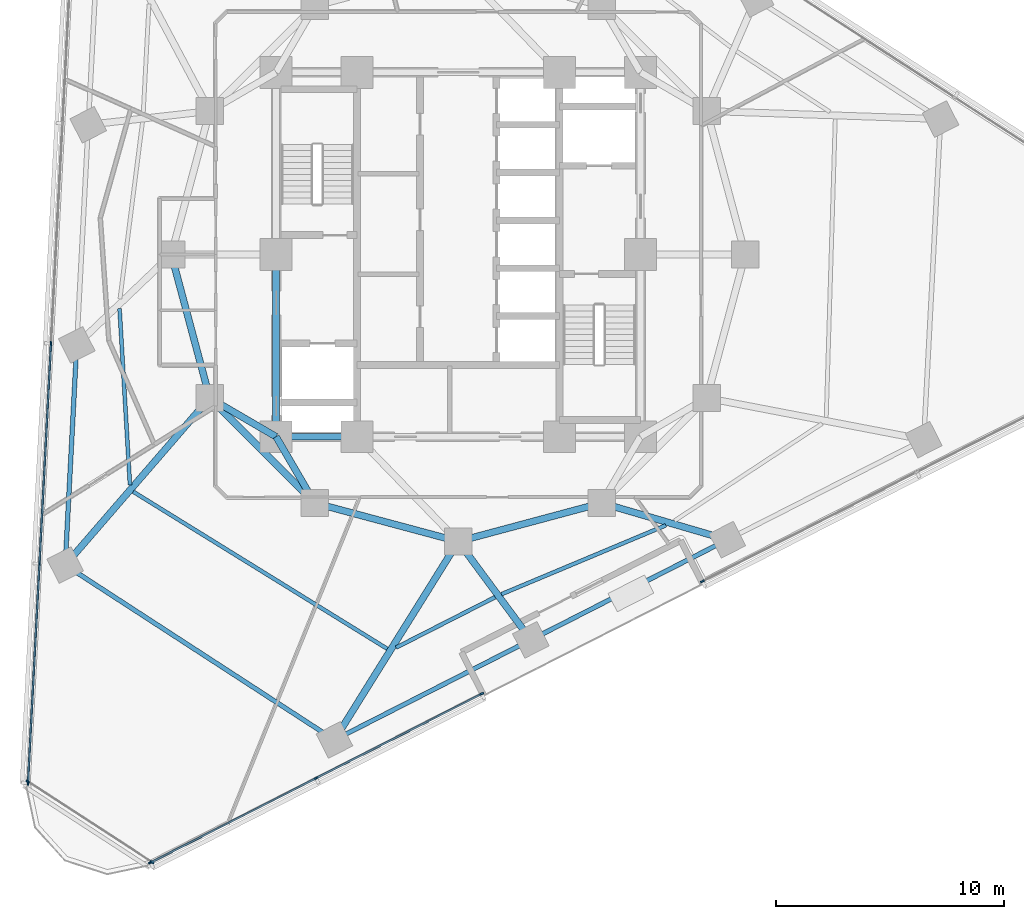
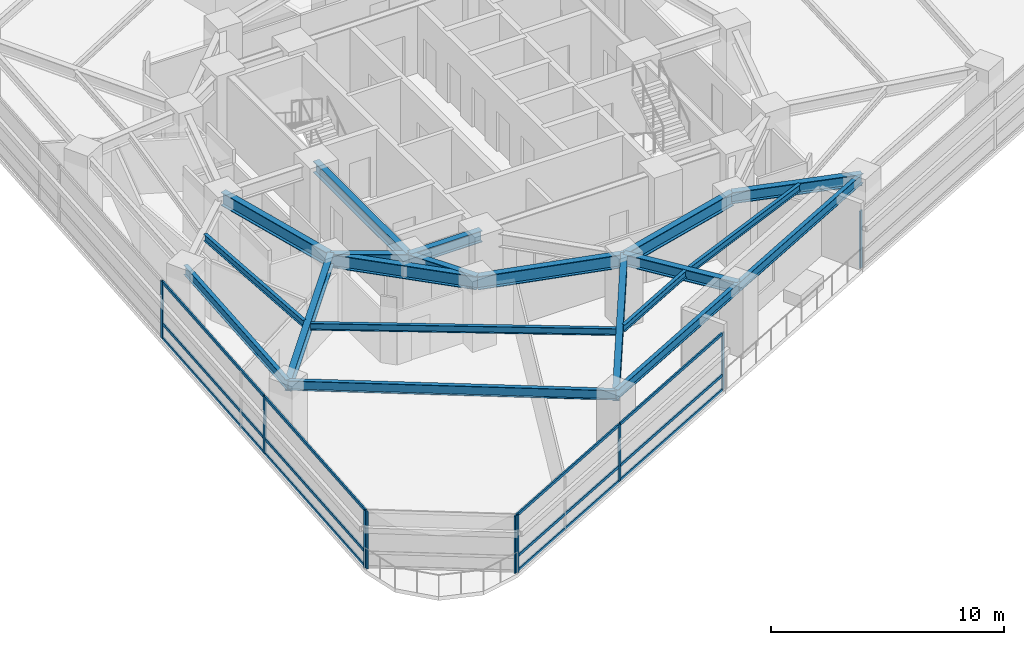
# One storey, part 2 of 14: 21 members, 20 beams, 4 elements without a shape of their own.
"""IFC4 building model written with IfcOpenShell, lengths in metres."""

from ifc_helpers import new_model, si_unit, direction, frame, origin, origin_2d, place, context, subcontext, project, spatial, rectangle, i_section, extrude, material, layer, layer_set, material_profile, profile_set, type_object, element, aggregate, save


model = new_model("IFC4")

# Units and contexts
model_context = context("Model", 3, precision=1e-05, world=origin(), true_north=direction((0.0, 1.0)))
body_context = subcontext(model_context, "Body", "Model", "MODEL_VIEW")
ifc_project = project(units=[si_unit("LENGTHUNIT", "METRE"), si_unit("AREAUNIT", "SQUARE_METRE"), si_unit("VOLUMEUNIT", "CUBIC_METRE"), si_unit("PLANEANGLEUNIT", "RADIAN"), si_unit("MASSUNIT", "GRAM", prefix="KILO")], contexts=[model_context])

# Site, building, storey
site_placement = place(None, origin())
site = spatial("IfcSite", under=ifc_project, at=site_placement, CompositionType="ELEMENT")
building_placement = place(site_placement, origin())
building = spatial("IfcBuilding", under=site, at=building_placement, Name="Terralouvre Media Tower", CompositionType="ELEMENT")
storey_placement = place(building_placement, frame((0.0, 0.0, 131.0)))
storey = spatial("IfcBuildingStorey", under=building, at=storey_placement, Name="L33", CompositionType="ELEMENT", Elevation=131.0)

# Beams
ifc_material_1 = material(Name="Structural steel S355J2", Category="steel")
ifc_material_profile_1 = material_profile(ifc_material_1, i_section(OverallWidth=0.169921875, OverallDepth=0.360107421875, WebThickness=0.008056640625, FlangeThickness=0.0126953125, at=origin_2d()), Name="IPE 360")
ifc_profile_set_1 = profile_set([ifc_material_profile_1], Name="Structural steel S355J2")
beam_type_1 = type_object("IfcBeamType", Name="Composite Floor Joist J-IPE360 (IPE 360)", PredefinedType="JOIST", material=ifc_profile_set_1)
beam_1_placement = place(storey_placement, frame((-14.872314453125, -2.377197265625, 3.320068359375), z_axis=(0.058878824525, -0.998265137137, 0.0), x_axis=(0.998265137137, 0.058878824525, 0.0)))
element("IfcBeam", 1, at=beam_1_placement, inside=storey, type_object=beam_type_1, Name="L33 Framing Beam JT-L33-01", PredefinedType="JOIST", context=body_context, shape_type="SweptSolid", body=[
    extrude(i_section(OverallWidth=0.169921875, OverallDepth=0.360107421875, WebThickness=0.008056640625, FlangeThickness=0.0126953125, at=origin_2d()), origin(), (0.0, 0.0, 1.0), 7.758056640625),
])
beam_2_placement = place(storey_placement, frame((-14.275390625, -10.413330078125, 3.320068359375), z_axis=(0.850512534705, -0.525954777818, 0.0), x_axis=(0.525954777818, 0.850512534705, 0.0)))
element("IfcBeam", 2, at=beam_2_placement, inside=storey, type_object=beam_type_1, Name="L33 Framing Beam JT-L33-02", PredefinedType="JOIST", context=body_context, shape_type="SweptSolid", body=[
    extrude(i_section(OverallWidth=0.169921875, OverallDepth=0.360107421875, WebThickness=0.008056640625, FlangeThickness=0.0126953125, at=origin_2d()), origin(), (0.0, 0.0, 1.0), 13.118896484375),
])
beam_3_placement = place(storey_placement, frame((-2.732666015625, -17.260986328125, 3.320068359375), z_axis=(0.891002879415, 0.453997652939, 0.0), x_axis=(-0.453997652939, 0.891002879415, 0.0)))
element("IfcBeam", 3, at=beam_3_placement, inside=storey, type_object=beam_type_1, Name="L33 Framing Beam JT-L33-03", PredefinedType="JOIST", context=body_context, shape_type="SweptSolid", body=[
    extrude(i_section(OverallWidth=0.169921875, OverallDepth=0.360107421875, WebThickness=0.008056640625, FlangeThickness=0.0126953125, at=origin_2d()), origin(), (0.0, 0.0, 1.0), 4.885009765625),
])
beam_4_placement = place(storey_placement, frame((1.89404296875, -14.916259765625, 3.320068359375), z_axis=(0.922254640504, 0.386582951085, 0.0), x_axis=(-0.386582951085, 0.922254640504, 0.0)))
element("IfcBeam", 4, at=beam_4_placement, inside=storey, type_object=beam_type_1, Name="L33 Framing Beam JT-L33-04", PredefinedType="JOIST", context=body_context, shape_type="SweptSolid", body=[
    extrude(i_section(OverallWidth=0.169921875, OverallDepth=0.360107421875, WebThickness=0.008056640625, FlangeThickness=0.0126953125, at=origin_2d()), origin(), (0.0, 0.0, 1.0), 7.8291015625),
])

# Curtain wall, members
ifc_material_2 = material(Name="Low-iron laminated double glazing with solar-control coating", Category="glass")
ifc_layer_1 = layer(ifc_material_2, 0.1650390625, Name="Production Studio Tower Curtain Wall CW-03")
ifc_layer_set_1 = layer_set([ifc_layer_1], Name="Low-iron laminated double glazing with solar-control coating")
curtain_wall_type_1 = type_object("IfcCurtainWallType", Name="Production Studio Tower Curtain Wall CW-03", PredefinedType="NOTDEFINED", material=ifc_layer_set_1)
curtain_wall_1_placement = place(storey_placement, origin())
curtain_wall_1 = element("IfcCurtainWall", 5, at=curtain_wall_1_placement, inside=storey, type_object=curtain_wall_type_1, Name="L33 Left Flank Curtain Wall F0", PredefinedType="NOTDEFINED")
ifc_material_3 = material(Name="Anodised extruded aluminium 6063-T6", Category="aluminium")
ifc_material_profile_2 = material_profile(ifc_material_3, rectangle(XDim=0.074951171875, YDim=0.14990234375, at=origin_2d()), Name="ALU 75x150")
ifc_profile_set_2 = profile_set([ifc_material_profile_2], Name="Anodised extruded aluminium 6063-T6")
member_type_1 = type_object("IfcMemberType", Name="Curtain-Wall Horizontal Transom TR-150", PredefinedType="USERDEFINED", material=ifc_profile_set_2)
member_1_placement = place(storey_placement, frame((-13.481689453125, -26.680419921875, 0.03759765625), z_axis=(0.891008394509, 0.453986829009, 0.0), x_axis=(-0.453986829009, 0.891008394509, 0.0)))
member_1 = element("IfcMember", 6, at=member_1_placement, type_object=member_type_1, Name="CW-03 transom 1.1", ObjectType="TRANSOM", PredefinedType="USERDEFINED", context=body_context, shape_type="SweptSolid", body=[
    extrude(rectangle(XDim=0.074951171875, YDim=0.14990234375, at=origin_2d()), origin(), (0.0, 0.0, 1.0), 8.087646484375),
])
member_2_placement = place(storey_placement, frame((-13.481689453125, -26.680419921875, 0.800048828125), z_axis=(0.891008394509, 0.453986829009, 0.0), x_axis=(-0.453986829009, 0.891008394509, 0.0)))
member_2 = element("IfcMember", 7, at=member_2_placement, type_object=member_type_1, Name="CW-03 transom 1.2", ObjectType="TRANSOM", PredefinedType="USERDEFINED", context=body_context, shape_type="SweptSolid", body=[
    extrude(rectangle(XDim=0.074951171875, YDim=0.14990234375, at=origin_2d()), origin(), (0.0, 0.0, 1.0), 8.087646484375),
])
member_3_placement = place(storey_placement, frame((-13.481689453125, -26.680419921875, 2.96240234375), z_axis=(0.891008394509, 0.453986829009, 0.0), x_axis=(-0.453986829009, 0.891008394509, 0.0)))
member_3 = element("IfcMember", 8, at=member_3_placement, type_object=member_type_1, Name="CW-03 transom 1.3", ObjectType="TRANSOM", PredefinedType="USERDEFINED", context=body_context, shape_type="SweptSolid", body=[
    extrude(rectangle(XDim=0.074951171875, YDim=0.14990234375, at=origin_2d()), origin(), (0.0, 0.0, 1.0), 8.087646484375),
])
member_4_placement = place(storey_placement, frame((-6.208984375, -22.974853515625, 0.03759765625), z_axis=(0.891008394509, 0.453986829009, 0.0), x_axis=(-0.453986829009, 0.891008394509, 0.0)))
member_4 = element("IfcMember", 9, at=member_4_placement, type_object=member_type_1, Name="CW-03 transom 2.1", ObjectType="TRANSOM", PredefinedType="USERDEFINED", context=body_context, shape_type="SweptSolid", body=[
    extrude(rectangle(XDim=0.074951171875, YDim=0.14990234375, at=origin_2d()), origin(), (0.0, 0.0, 1.0), 8.087646484375),
])
member_5_placement = place(storey_placement, frame((-6.208984375, -22.974853515625, 0.800048828125), z_axis=(0.891008394509, 0.453986829009, 0.0), x_axis=(-0.453986829009, 0.891008394509, 0.0)))
member_5 = element("IfcMember", 10, at=member_5_placement, type_object=member_type_1, Name="CW-03 transom 2.2", ObjectType="TRANSOM", PredefinedType="USERDEFINED", context=body_context, shape_type="SweptSolid", body=[
    extrude(rectangle(XDim=0.074951171875, YDim=0.14990234375, at=origin_2d()), origin(), (0.0, 0.0, 1.0), 8.087646484375),
])
member_6_placement = place(storey_placement, frame((-6.208984375, -22.974853515625, 2.96240234375), z_axis=(0.891008394509, 0.453986829009, 0.0), x_axis=(-0.453986829009, 0.891008394509, 0.0)))
member_6 = element("IfcMember", 11, at=member_6_placement, type_object=member_type_1, Name="CW-03 transom 2.3", ObjectType="TRANSOM", PredefinedType="USERDEFINED", context=body_context, shape_type="SweptSolid", body=[
    extrude(rectangle(XDim=0.074951171875, YDim=0.14990234375, at=origin_2d()), origin(), (0.0, 0.0, 1.0), 8.087646484375),
])

curtain_wall_2_placement = place(storey_placement, origin())
curtain_wall_2 = element("IfcCurtainWall", 12, at=curtain_wall_2_placement, inside=storey, type_object=curtain_wall_type_1, Name="L33 Facade Curtain Wall F2", PredefinedType="NOTDEFINED")
member_7_placement = place(storey_placement, frame((-17.883056640625, -3.947021484375, 0.03759765625), z_axis=(-0.052336036535, -0.998629530547, 0.0), x_axis=(0.998629530547, -0.052336036535, 0.0)))
member_7 = element("IfcMember", 13, at=member_7_placement, type_object=member_type_1, Name="CW-03 transom 4.1", ObjectType="TRANSOM", PredefinedType="USERDEFINED", context=body_context, shape_type="SweptSolid", body=[
    extrude(rectangle(XDim=0.074951171875, YDim=0.14990234375, at=origin_2d()), origin(), (0.0, 0.0, 1.0), 9.60498046875),
])
member_8_placement = place(storey_placement, frame((-17.883056640625, -3.947021484375, 0.800048828125), z_axis=(-0.052336036535, -0.998629530547, 0.0), x_axis=(0.998629530547, -0.052336036535, 0.0)))
member_8 = element("IfcMember", 14, at=member_8_placement, type_object=member_type_1, Name="CW-03 transom 4.2", ObjectType="TRANSOM", PredefinedType="USERDEFINED", context=body_context, shape_type="SweptSolid", body=[
    extrude(rectangle(XDim=0.074951171875, YDim=0.14990234375, at=origin_2d()), origin(), (0.0, 0.0, 1.0), 9.60498046875),
])
member_9_placement = place(storey_placement, frame((-17.883056640625, -3.947021484375, 2.96240234375), z_axis=(-0.052336036535, -0.998629530547, 0.0), x_axis=(0.998629530547, -0.052336036535, 0.0)))
member_9 = element("IfcMember", 15, at=member_9_placement, type_object=member_type_1, Name="CW-03 transom 4.3", ObjectType="TRANSOM", PredefinedType="USERDEFINED", context=body_context, shape_type="SweptSolid", body=[
    extrude(rectangle(XDim=0.074951171875, YDim=0.14990234375, at=origin_2d()), origin(), (0.0, 0.0, 1.0), 9.60498046875),
])
member_10_placement = place(storey_placement, frame((-18.3896484375, -13.61376953125, 0.03759765625), z_axis=(-0.052336504837, -0.998629506004, 0.0), x_axis=(0.998629506004, -0.052336504837, 0.0)))
member_10 = element("IfcMember", 16, at=member_10_placement, type_object=member_type_1, Name="CW-03 transom 5.1", ObjectType="TRANSOM", PredefinedType="USERDEFINED", context=body_context, shape_type="SweptSolid", body=[
    extrude(rectangle(XDim=0.074951171875, YDim=0.14990234375, at=origin_2d()), origin(), (0.0, 0.0, 1.0), 9.567626953125),
])
member_11_placement = place(storey_placement, frame((-18.3896484375, -13.61376953125, 0.800048828125), z_axis=(-0.052336504837, -0.998629506004, 0.0), x_axis=(0.998629506004, -0.052336504837, 0.0)))
member_11 = element("IfcMember", 17, at=member_11_placement, type_object=member_type_1, Name="CW-03 transom 5.2", ObjectType="TRANSOM", PredefinedType="USERDEFINED", context=body_context, shape_type="SweptSolid", body=[
    extrude(rectangle(XDim=0.074951171875, YDim=0.14990234375, at=origin_2d()), origin(), (0.0, 0.0, 1.0), 9.567626953125),
])
member_12_placement = place(storey_placement, frame((-18.3896484375, -13.61376953125, 2.96240234375), z_axis=(-0.052336504837, -0.998629506004, 0.0), x_axis=(0.998629506004, -0.052336504837, 0.0)))
member_12 = element("IfcMember", 18, at=member_12_placement, type_object=member_type_1, Name="CW-03 transom 5.3", ObjectType="TRANSOM", PredefinedType="USERDEFINED", context=body_context, shape_type="SweptSolid", body=[
    extrude(rectangle(XDim=0.074951171875, YDim=0.14990234375, at=origin_2d()), origin(), (0.0, 0.0, 1.0), 9.567626953125),
])

# Member
ifc_material_4 = material(Name="Anodised extruded aluminium 6063-T6", Category="aluminium")
ifc_material_profile_3 = material_profile(ifc_material_4, rectangle(XDim=0.074951171875, YDim=0.179931640625, at=origin_2d()), Name="ALU 75x180")
ifc_profile_set_3 = profile_set([ifc_material_profile_3], Name="Anodised extruded aluminium 6063-T6")
member_type_2 = type_object("IfcMemberType", Name="Curtain-Wall Vertical Mullion ML-180", PredefinedType="MULLION", material=ifc_profile_set_3)
member_13_placement = place(storey_placement, frame((-13.51513671875, -26.697509765625, 0.0), z_axis=(0.0, 0.0, 1.0), x_axis=(-0.453990222559, 0.891006665419, 0.0)))
member_13 = element("IfcMember", 19, at=member_13_placement, type_object=member_type_2, Name="CW-03 mullion 1", PredefinedType="MULLION", context=body_context, shape_type="SweptSolid", body=[
    extrude(rectangle(XDim=0.074951171875, YDim=0.179931640625, at=origin_2d()), origin(), (0.0, 0.0, 1.0), 3.0),
])

member_14_placement = place(storey_placement, frame((-6.242431640625, -22.99169921875, 0.0), z_axis=(0.0, 0.0, 1.0), x_axis=(-0.453990222559, 0.891006665419, 0.0)))
member_14 = element("IfcMember", 20, at=member_14_placement, type_object=member_type_2, Name="CW-03 mullion 2", PredefinedType="MULLION", context=body_context, shape_type="SweptSolid", body=[
    extrude(rectangle(XDim=0.074951171875, YDim=0.179931640625, at=origin_2d()), origin(), (0.0, 0.0, 1.0), 3.0),
])

member_15_placement = place(storey_placement, frame((1.030517578125, -19.2861328125, 0.0), z_axis=(0.0, 0.0, 1.0), x_axis=(-0.453990222559, 0.891006665419, 0.0)))
member_15 = element("IfcMember", 21, at=member_15_placement, type_object=member_type_2, Name="CW-03 mullion 3", PredefinedType="MULLION", context=body_context, shape_type="SweptSolid", body=[
    extrude(rectangle(XDim=0.074951171875, YDim=0.179931640625, at=origin_2d()), origin(), (0.0, 0.0, 1.0), 3.0),
])

aggregate(curtain_wall_1, [member_13, member_14, member_15, member_1, member_2, member_3, member_4, member_5, member_6])

# Curtain wall, member
curtain_wall_3_placement = place(storey_placement, origin())
curtain_wall_3 = element("IfcCurtainWall", 22, at=curtain_wall_3_placement, inside=storey, type_object=curtain_wall_type_1, Name="L33 Right Flank Curtain Wall F0", PredefinedType="NOTDEFINED")
member_16_placement = place(storey_placement, frame((10.72021484375, -14.348876953125, 0.0), z_axis=(0.0, 0.0, 1.0), x_axis=(-0.453991276263, 0.89100612853, 0.0)))
member_16 = element("IfcMember", 23, at=member_16_placement, type_object=member_type_2, Name="CW-03 mullion 1", PredefinedType="MULLION", context=body_context, shape_type="SweptSolid", body=[
    extrude(rectangle(XDim=0.074951171875, YDim=0.179931640625, at=origin_2d()), origin(), (0.0, 0.0, 1.0), 3.0),
])
aggregate(curtain_wall_3, [member_16])

# Member
member_17_placement = place(storey_placement, frame((-17.881103515625, -3.909423828125, 0.0), z_axis=(0.0, 0.0, 1.0), x_axis=(0.998629535089, -0.052335949864, 0.0)))
member_17 = element("IfcMember", 24, at=member_17_placement, type_object=member_type_2, Name="CW-03 mullion 4", PredefinedType="MULLION", context=body_context, shape_type="SweptSolid", body=[
    extrude(rectangle(XDim=0.074951171875, YDim=0.179931640625, at=origin_2d()), origin(), (0.0, 0.0, 1.0), 3.0),
])

member_18_placement = place(storey_placement, frame((-18.3876953125, -13.576171875, 0.0), z_axis=(0.0, 0.0, 1.0), x_axis=(0.998629535089, -0.052335949864, 0.0)))
member_18 = element("IfcMember", 25, at=member_18_placement, type_object=member_type_2, Name="CW-03 mullion 5", PredefinedType="MULLION", context=body_context, shape_type="SweptSolid", body=[
    extrude(rectangle(XDim=0.074951171875, YDim=0.179931640625, at=origin_2d()), origin(), (0.0, 0.0, 1.0), 3.0),
])

member_19_placement = place(storey_placement, frame((-18.892333984375, -23.20556640625, 0.0), z_axis=(0.0, 0.0, 1.0), x_axis=(0.998629535089, -0.052335949864, 0.0)))
member_19 = element("IfcMember", 26, at=member_19_placement, type_object=member_type_2, Name="CW-03 mullion 6", PredefinedType="MULLION", context=body_context, shape_type="SweptSolid", body=[
    extrude(rectangle(XDim=0.074951171875, YDim=0.179931640625, at=origin_2d()), origin(), (0.0, 0.0, 1.0), 3.0),
])

aggregate(curtain_wall_2, [member_17, member_18, member_19, member_7, member_8, member_9, member_10, member_11, member_12])

# Curtain wall, members
ifc_material_5 = material(Name="Low-iron laminated double glazing with solar-control coating", Category="glass")
ifc_layer_2 = layer(ifc_material_5, 0.1650390625, Name="Rounded Wind-Corner Curved Glazing CW-04")
ifc_layer_set_2 = layer_set([ifc_layer_2], Name="Low-iron laminated double glazing with solar-control coating")
curtain_wall_type_2 = type_object("IfcCurtainWallType", Name="Rounded Wind-Corner Curved Glazing CW-04", PredefinedType="NOTDEFINED", material=ifc_layer_set_2)
curtain_wall_4_placement = place(storey_placement, origin())
curtain_wall_4 = element("IfcCurtainWall", 27, at=curtain_wall_4_placement, inside=storey, type_object=curtain_wall_type_2, Name="L33 Rounded Wind-Corner Curtain Wall C0", PredefinedType="NOTDEFINED")
member_20_placement = place(storey_placement, frame((-18.90625, -23.1396484375, 0.0), z_axis=(0.0, 0.0, 1.0), x_axis=(0.544639308152, 0.838670390568, 0.0)))
member_20 = element("IfcMember", 28, at=member_20_placement, type_object=member_type_2, Name="CW-04 mullion 1", PredefinedType="MULLION", context=body_context, shape_type="SweptSolid", body=[
    extrude(rectangle(XDim=0.074951171875, YDim=0.179931640625, at=origin_2d()), origin(), (0.0, 0.0, 1.0), 3.0),
])
member_21_placement = place(storey_placement, frame((-13.44921875, -26.68359375, 0.0), z_axis=(0.0, 0.0, 1.0), x_axis=(0.544639308152, 0.838670390568, 0.0)))
member_21 = element("IfcMember", 29, at=member_21_placement, type_object=member_type_2, Name="CW-04 mullion 2", PredefinedType="MULLION", context=body_context, shape_type="SweptSolid", body=[
    extrude(rectangle(XDim=0.074951171875, YDim=0.179931640625, at=origin_2d()), origin(), (0.0, 0.0, 1.0), 3.0),
])
aggregate(curtain_wall_4, [member_20, member_21])

# Beams
ifc_material_6 = material(Name="Structural steel S355J2", Category="steel")
ifc_material_profile_4 = material_profile(ifc_material_6, i_section(OverallWidth=0.199951171875, OverallDepth=0.5, WebThickness=0.01025390625, FlangeThickness=0.01611328125, at=origin_2d()), Name="IPE 500")
ifc_profile_set_4 = profile_set([ifc_material_profile_4], Name="Structural steel S355J2")
beam_type_2 = type_object("IfcBeamType", Name="Perimeter Spandrel Beam SPB-500 (IPE 500)", PredefinedType="SPANDREL", material=ifc_profile_set_4)
beam_5_placement = place(storey_placement, frame((-16.75244140625, -3.96875, 3.25), z_axis=(-0.052333792648, -0.998629648141, 0.0), x_axis=(0.998629648141, -0.052333792648, 0.0)))
element("IfcBeam", 30, at=beam_5_placement, inside=storey, type_object=beam_type_2, Name="L33 Framing Beam BM-L33-PR01", PredefinedType="SPANDREL", context=body_context, shape_type="SweptSolid", body=[
    extrude(i_section(OverallWidth=0.199951171875, OverallDepth=0.5, WebThickness=0.01025390625, FlangeThickness=0.01611328125, at=origin_2d()), origin(), (0.0, 0.0, 1.0), 9.679931640625),
])
beam_6_placement = place(storey_placement, frame((-17.259033203125, -13.635498046875, 3.25), z_axis=(0.838675019369, -0.544632180363, 0.0), x_axis=(0.544632180363, 0.838675019369, 0.0)))
element("IfcBeam", 31, at=beam_6_placement, inside=storey, type_object=beam_type_2, Name="L33 Framing Beam BM-L33-PR02", PredefinedType="SPANDREL", context=body_context, shape_type="SweptSolid", body=[
    extrude(i_section(OverallWidth=0.199951171875, OverallDepth=0.5, WebThickness=0.01025390625, FlangeThickness=0.01611328125, at=origin_2d()), origin(), (0.0, 0.0, 1.0), 14.0966796875),
])
beam_7_placement = place(storey_placement, frame((-5.4365234375, -21.31298828125, 3.25), z_axis=(0.891006580855, 0.453990388524, 0.0), x_axis=(-0.453990388524, 0.891006580855, 0.0)))
element("IfcBeam", 32, at=beam_7_placement, inside=storey, type_object=beam_type_2, Name="L33 Framing Beam BM-L33-PR03", PredefinedType="SPANDREL", context=body_context, shape_type="SweptSolid", body=[
    extrude(i_section(OverallWidth=0.199951171875, OverallDepth=0.5, WebThickness=0.01025390625, FlangeThickness=0.01611328125, at=origin_2d()), origin(), (0.0, 0.0, 1.0), 9.6796875),
])
beam_8_placement = place(storey_placement, frame((3.188232421875, -16.91845703125, 3.25), z_axis=(0.891001576959, 0.454000209093, 0.0), x_axis=(-0.454000209093, 0.891001576959, 0.0)))
element("IfcBeam", 33, at=beam_8_placement, inside=storey, type_object=beam_type_2, Name="L33 Framing Beam BM-L33-PR04", PredefinedType="SPANDREL", context=body_context, shape_type="SweptSolid", body=[
    extrude(i_section(OverallWidth=0.199951171875, OverallDepth=0.5, WebThickness=0.01025390625, FlangeThickness=0.01611328125, at=origin_2d()), origin(), (0.0, 0.0, 1.0), 9.68017578125),
])
ifc_material_7 = material(Name="Structural steel S460M", Category="steel")
ifc_material_profile_5 = material_profile(ifc_material_7, i_section(OverallWidth=0.300048828125, OverallDepth=0.60009765625, WebThickness=0.015380859375, FlangeThickness=0.030029296875, at=origin_2d()), Name="HEB 600")
ifc_profile_set_5 = profile_set([ifc_material_profile_5], Name="Structural steel S460M")
beam_type_3 = type_object("IfcBeamType", Name="Primary Floor Girder B-HEB600 (HEB 600)", PredefinedType="BEAM", material=ifc_profile_set_5)
beam_9_placement = place(storey_placement, frame((-8.0, -8.0, 3.199951171875), z_axis=(1.0, 0.0, 0.0), x_axis=(0.0, 1.0, 0.0)))
element("IfcBeam", 34, at=beam_9_placement, inside=storey, type_object=beam_type_3, Name="L33 Framing Beam BM-L33-CPR01", PredefinedType="BEAM", context=body_context, shape_type="SweptSolid", body=[
    extrude(i_section(OverallWidth=0.300048828125, OverallDepth=0.60009765625, WebThickness=0.015380859375, FlangeThickness=0.030029296875, at=origin_2d()), origin(), (0.0, 0.0, 1.0), 3.550048828125),
])
beam_10_placement = place(storey_placement, frame((-8.0, 0.0, 3.199951171875), z_axis=(0.0, -1.0, 0.0), x_axis=(1.0, 0.0, 0.0)))
element("IfcBeam", 35, at=beam_10_placement, inside=storey, type_object=beam_type_3, Name="L33 Framing Beam BM-L33-CPR10", PredefinedType="BEAM", context=body_context, shape_type="SweptSolid", body=[
    extrude(i_section(OverallWidth=0.300048828125, OverallDepth=0.60009765625, WebThickness=0.015380859375, FlangeThickness=0.030029296875, at=origin_2d()), origin(), (0.0, 0.0, 1.0), 8.0),
])
beam_11_placement = place(storey_placement, frame((-10.911865234375, -6.300048828125, 3.199951171875), z_axis=(-0.654328588351, -0.756210353319, 0.0), x_axis=(0.756210353319, -0.654328588351, 0.0)))
element("IfcBeam", 36, at=beam_11_placement, inside=storey, type_object=beam_type_3, Name="L33 Framing Beam BM-L33-RD02", PredefinedType="BEAM", context=body_context, shape_type="SweptSolid", body=[
    extrude(i_section(OverallWidth=0.300048828125, OverallDepth=0.60009765625, WebThickness=0.015380859375, FlangeThickness=0.030029296875, at=origin_2d()), origin(), (0.0, 0.0, 1.0), 9.7001953125),
])
beam_12_placement = place(storey_placement, frame((0.0, -12.60009765625, 3.199951171875), z_axis=(-0.529366283505, -0.848393386282, 0.0), x_axis=(0.848393386282, -0.529366283505, 0.0)))
element("IfcBeam", 37, at=beam_12_placement, inside=storey, type_object=beam_type_3, Name="L33 Framing Beam BM-L33-RD03", PredefinedType="BEAM", context=body_context, shape_type="SweptSolid", body=[
    extrude(i_section(OverallWidth=0.300048828125, OverallDepth=0.60009765625, WebThickness=0.015380859375, FlangeThickness=0.030029296875, at=origin_2d()), origin(), (0.0, 0.0, 1.0), 10.269775390625),
])
beam_13_placement = place(storey_placement, frame((0.0, -12.60009765625, 3.199951171875), z_axis=(0.593957444229, -0.804496460182, 0.0), x_axis=(0.804496460182, 0.593957444229, 0.0)))
element("IfcBeam", 38, at=beam_13_placement, inside=storey, type_object=beam_type_3, Name="L33 Framing Beam BM-L33-RD04", PredefinedType="BEAM", context=body_context, shape_type="SweptSolid", body=[
    extrude(i_section(OverallWidth=0.300048828125, OverallDepth=0.60009765625, WebThickness=0.015380859375, FlangeThickness=0.030029296875, at=origin_2d()), origin(), (0.0, 0.0, 1.0), 5.36767578125),
])
beam_14_placement = place(storey_placement, frame((6.300048828125, -10.911865234375, 3.199951171875), z_axis=(0.959821765834, -0.280610366577, 0.0), x_axis=(0.280610366577, 0.959821765834, 0.0)))
element("IfcBeam", 39, at=beam_14_placement, inside=storey, type_object=beam_type_3, Name="L33 Framing Beam BM-L33-RD05", PredefinedType="BEAM", context=body_context, shape_type="SweptSolid", body=[
    extrude(i_section(OverallWidth=0.300048828125, OverallDepth=0.60009765625, WebThickness=0.015380859375, FlangeThickness=0.030029296875, at=origin_2d()), origin(), (0.0, 0.0, 1.0), 5.743896484375),
])
ifc_material_8 = material(Name="Structural steel S460M", Category="steel")
ifc_material_profile_6 = material_profile(ifc_material_8, i_section(OverallWidth=0.300048828125, OverallDepth=0.699951171875, WebThickness=0.01708984375, FlangeThickness=0.031982421875, at=origin_2d()), Name="HEB 700")
ifc_profile_set_6 = profile_set([ifc_material_profile_6], Name="Structural steel S460M")
beam_type_4 = type_object("IfcBeamType", Name="Primary Floor Girder B-HEB700 (HEB 700)", PredefinedType="BEAM", material=ifc_profile_set_6)
beam_15_placement = place(storey_placement, frame((-10.911865234375, -6.300048828125, 3.14990234375), z_axis=(0.707106781187, -0.707106781187, 0.0), x_axis=(0.707106781187, 0.707106781187, 0.0)))
element("IfcBeam", 40, at=beam_15_placement, inside=storey, type_object=beam_type_4, Name="L33 Framing Beam BM-L33-MR01", PredefinedType="BEAM", context=body_context, shape_type="SweptSolid", body=[
    extrude(i_section(OverallWidth=0.300048828125, OverallDepth=0.699951171875, WebThickness=0.01708984375, FlangeThickness=0.031982421875, at=origin_2d()), origin(), (0.0, 0.0, 1.0), 6.52197265625),
])
for number, where, z_axis, x_axis, name in (
    (41, (-6.300048828125, -10.911865234375, 3.14990234375), (0.965920481897, -0.258838989821, 0.0), (0.258838989821, 0.965920481897, 0.0), "L33 Framing Beam BM-L33-MR02"),
    (42, (0.0, -12.60009765625, 3.14990234375), (0.965920481897, 0.258838989821, 0.0), (-0.258838989821, 0.965920481897, 0.0), "L33 Framing Beam BM-L33-MR03"),
    (43, (-12.60009765625, 0.0, 3.14990234375), (0.258838989821, -0.965920481897, 0.0), (0.965920481897, 0.258838989821, 0.0), "L33 Framing Beam BM-L33-MR12"),
):
    element("IfcBeam", number, at=place(storey_placement, frame(where, z_axis=z_axis, x_axis=x_axis)), inside=storey, type_object=beam_type_4, Name=name, PredefinedType="BEAM", context=body_context, shape_type="SweptSolid", body=[
        extrude(i_section(OverallWidth=0.300048828125, OverallDepth=0.699951171875, WebThickness=0.01708984375, FlangeThickness=0.031982421875, at=origin_2d()), origin(), (0.0, 0.0, 1.0), 6.522216796875),
    ])
for number, where, z_axis, x_axis, name in (
    (44, (-8.0, -8.0, 3.14990234375), (-0.863602894532, 0.504172629717, 0.0), (-0.504172629717, -0.863602894532, 0.0), "L33 Framing Beam BM-L33-CM01"),
    (45, (-8.0, -8.0, 3.14990234375), (0.504172629717, -0.863602894532, 0.0), (0.863602894532, 0.504172629717, 0.0), "L33 Framing Beam BM-L33-CM02"),
):
    element("IfcBeam", number, at=place(storey_placement, frame(where, z_axis=z_axis, x_axis=x_axis)), inside=storey, type_object=beam_type_4, Name=name, PredefinedType="BEAM", context=body_context, shape_type="SweptSolid", body=[
        extrude(i_section(OverallWidth=0.300048828125, OverallDepth=0.699951171875, WebThickness=0.01708984375, FlangeThickness=0.031982421875, at=origin_2d()), origin(), (0.0, 0.0, 1.0), 3.371826171875),
    ])

save(model, "model.ifc")
